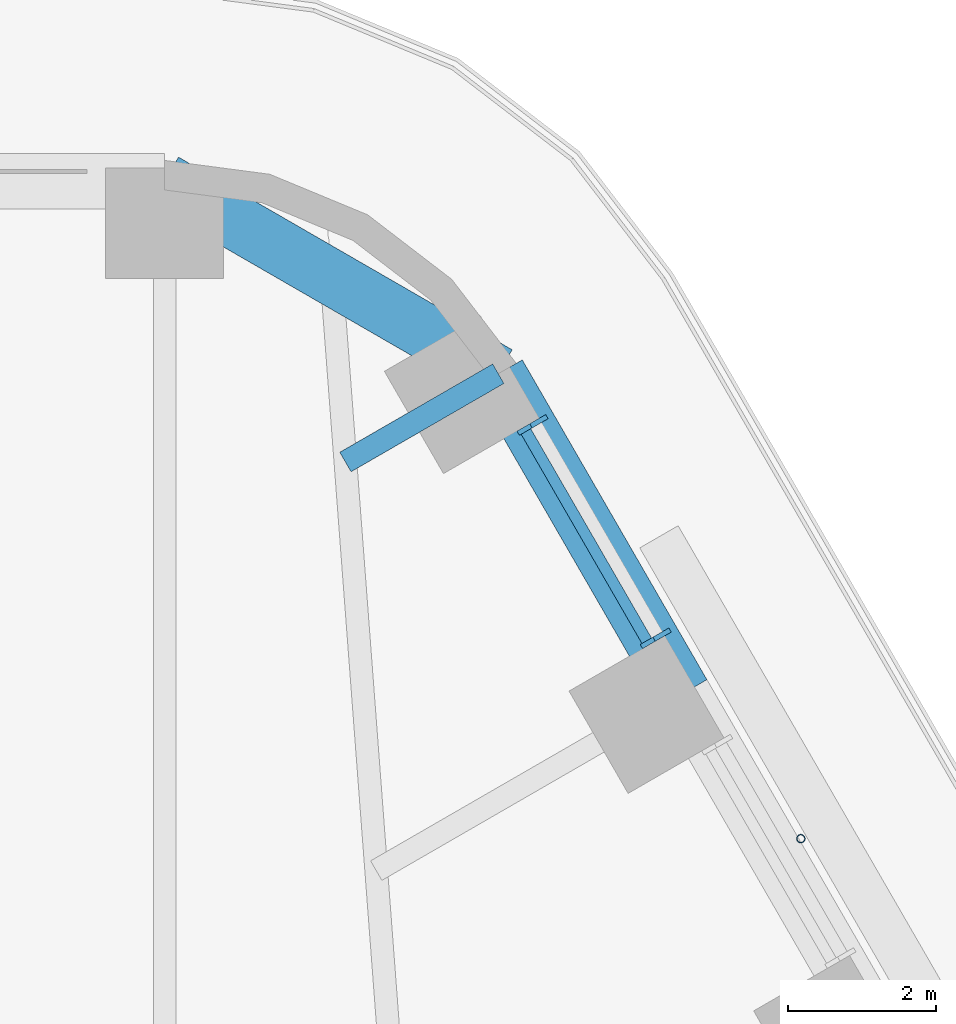
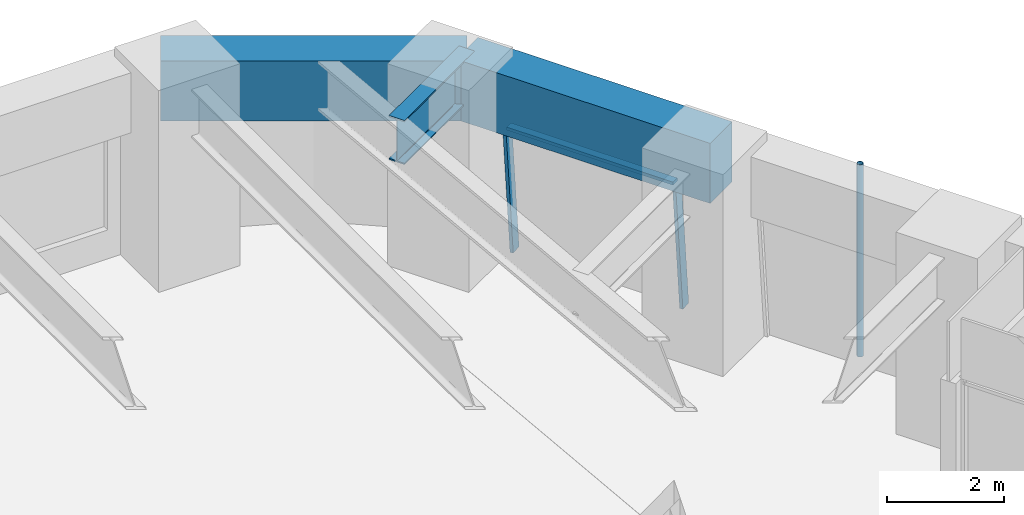
# One storey, part 13 of 24: 4 members, 3 beams, 1 element without a shape of its own.
"""IFC4 building model written with IfcOpenShell, lengths in metres."""

from ifc_helpers import new_model, si_unit, direction, frame, origin, origin_2d, place, context, subcontext, project, spatial, rectangle, hollow_circle, i_section, extrude, material, material_profile, profile_set, type_object, element, aggregate, save


model = new_model("IFC4")

# Units and contexts
model_context = context("Model", 3, precision=1e-05, world=origin(), true_north=direction((0.0, 1.0)))
body_context = subcontext(model_context, "Body", "Model", "MODEL_VIEW")
ifc_project = project(units=[si_unit("LENGTHUNIT", "METRE"), si_unit("AREAUNIT", "SQUARE_METRE"), si_unit("VOLUMEUNIT", "CUBIC_METRE"), si_unit("PLANEANGLEUNIT", "RADIAN"), si_unit("MASSUNIT", "GRAM", prefix="KILO")], contexts=[model_context])

# Site, building, storey
site_placement = place(None, origin())
site = spatial("IfcSite", under=ifc_project, at=site_placement, CompositionType="ELEMENT")
building_placement = place(site_placement, origin())
building = spatial("IfcBuilding", under=site, at=building_placement, Name="Tarfa Lantern Tower", CompositionType="ELEMENT")
storey_placement = place(building_placement, frame((0.0, 0.0, 157.300048828125)))
storey = spatial("IfcBuildingStorey", under=building, at=storey_placement, Name="L35", CompositionType="ELEMENT", Elevation=157.300048828125)

# Curtain wall, members
ifc_material_1 = material(Name="Aluminium framed curtain wall", Category="aluminium")
curtain_wall_type = type_object("IfcCurtainWallType", Name="CW2 CANTED GLAZING MID ZONE 2750", PredefinedType="USERDEFINED", material=ifc_material_1)
curtain_wall_placement = place(storey_placement, origin())
curtain_wall = element("IfcCurtainWall", 1, at=curtain_wall_placement, inside=storey, type_object=curtain_wall_type, Name="CW2 NEB L35", ObjectType="CURTAIN WALL", PredefinedType="USERDEFINED")
ifc_material_2 = material(Name="Aluminium mullion", Category="aluminium")
ifc_material_profile_1 = material_profile(ifc_material_2, rectangle(XDim=0.06494140625, YDim=0.199951171875, at=origin_2d()), Name="AL MULLION 65x200")
ifc_profile_set_1 = profile_set([ifc_material_profile_1], Name="Aluminium mullion")
member_type_1 = type_object("IfcMemberType", Name="CWM1 MULLION 65x200", PredefinedType="MULLION", material=ifc_profile_set_1)
member_1_placement = place(storey_placement, frame((21.773193359375, 25.087646484375, 0.0), z_axis=(-0.078422950161, -0.045267813396, 0.995891894715), x_axis=(0.499919672301, -0.866071776036, 0.0)))
member_1 = element("IfcMember", 2, at=member_1_placement, type_object=member_type_1, Name="CW2 mullion 1", PredefinedType="MULLION", context=body_context, shape_type="SweptSolid", body=[
    extrude(rectangle(XDim=0.06494140625, YDim=0.199951171875, at=origin_2d()), origin(), (0.0, 0.0, 1.0), 2.76123046875),
])
member_2_placement = place(storey_placement, frame((20.10400390625, 27.97900390625, 0.0), z_axis=(-0.078422950161, -0.045267813396, 0.995891894715), x_axis=(0.499919672301, -0.866071776036, 0.0)))
member_2 = element("IfcMember", 3, at=member_2_placement, type_object=member_type_1, Name="CW2 mullion 2", PredefinedType="MULLION", context=body_context, shape_type="SweptSolid", body=[
    extrude(rectangle(XDim=0.06494140625, YDim=0.199951171875, at=origin_2d()), origin(), (0.0, 0.0, 1.0), 2.76123046875),
])
ifc_material_3 = material(Name="Aluminium transom", Category="aluminium")
ifc_material_profile_2 = material_profile(ifc_material_3, rectangle(XDim=0.14990234375, YDim=0.06494140625, at=origin_2d()), Name="AL TRANSOM 150x65")
ifc_profile_set_2 = profile_set([ifc_material_profile_2], Name="Aluminium transom")
member_type_2 = type_object("IfcMemberType", Name="CWT1 TRANSOM 150x65", PredefinedType="USERDEFINED", material=ifc_profile_set_2)
member_3_placement = place(storey_placement, frame((21.54296875, 24.9921875, 2.717529296875), z_axis=(-0.499957005835, 0.866050225054, 0.0), x_axis=(-0.866050225054, -0.499957005835, 0.0)))
member_3 = element("IfcMember", 4, at=member_3_placement, type_object=member_type_2, Name="CW2 transom 1.2", ObjectType="TRANSOM", PredefinedType="USERDEFINED", context=body_context, shape_type="SweptSolid", body=[
    extrude(rectangle(XDim=0.14990234375, YDim=0.06494140625, at=origin_2d()), origin(), (0.0, 0.0, 1.0), 3.273681640625),
])
aggregate(curtain_wall, [member_1, member_2, member_3])

# Beams
ifc_material_4 = material(Name="Concrete C80/95", Category="concrete")
ifc_material_profile_3 = material_profile(ifc_material_4, rectangle(XDim=0.75, YDim=1.25, at=origin_2d()), Name="RC 750x1250")
ifc_profile_set_3 = profile_set([ifc_material_profile_3], Name="Concrete C80/95")
beam_type_1 = type_object("IfcBeamType", Name="EB2 RC 750x1250", PredefinedType="SPANDREL", material=ifc_profile_set_3)
beam_1_placement = place(storey_placement, frame((22.03369140625, 24.276611328125, 3.375), z_axis=(-0.500001197378, 0.866024712477, 0.0), x_axis=(-0.866024712477, -0.500001197378, 0.0)))
element("IfcBeam", 5, at=beam_1_placement, inside=storey, type_object=beam_type_1, Name="Edge beam NE5", PredefinedType="SPANDREL", context=body_context, shape_type="SweptSolid", body=[
    extrude(rectangle(XDim=0.75, YDim=1.25, at=origin_2d()), origin(), (0.0, 0.0, 1.0), 5.00390625),
])
beam_2_placement = place(storey_placement, frame((19.53173828125, 28.610107421875, 3.375), z_axis=(-0.86604150238, 0.499972115377, 0.0), x_axis=(-0.499972115377, -0.86604150238, 0.0)))
element("IfcBeam", 6, at=beam_2_placement, inside=storey, type_object=beam_type_1, Name="Edge beam NE6", PredefinedType="SPANDREL", context=body_context, shape_type="SweptSolid", body=[
    extrude(rectangle(XDim=0.75, YDim=1.25, at=origin_2d()), origin(), (0.0, 0.0, 1.0), 5.219970703125),
])

# Member
ifc_material_5 = material(Name="Steel S355", Category="steel")
ifc_material_profile_4 = material_profile(ifc_material_5, hollow_circle(Radius=0.05712890625, WallThickness=0.00634765625, at=origin_2d()), Name="CHS114.3x6.3")
ifc_profile_set_4 = profile_set([ifc_material_profile_4], Name="Steel S355")
member_type_3 = type_object("IfcMemberType", Name="TR1 GREEN WALL TRELLIS CHS114.3x6.3", PredefinedType="USERDEFINED", material=ifc_profile_set_4)
member_4_placement = place(storey_placement, frame((23.630859375, 22.31005859375, 0.0), z_axis=(0.0, 0.0, 1.0), x_axis=(1.0, 0.0, 0.0)))
element("IfcMember", 7, at=member_4_placement, inside=storey, type_object=member_type_3, Name="Trellis post NE 2", ObjectType="TRELLIS", PredefinedType="USERDEFINED", context=body_context, shape_type="SweptSolid", body=[
    extrude(hollow_circle(Radius=0.05712890625, WallThickness=0.00634765625, at=origin_2d()), origin(), (0.0, 0.0, 1.0), 4.0),
])

# Beam
ifc_material_6 = material(Name="Steel S460M", Category="steel")
ifc_material_profile_5 = material_profile(ifc_material_6, i_section(OverallWidth=0.305419921875, OverallDepth=0.91845703125, WebThickness=0.017333984375, FlangeThickness=0.02783203125, FilletRadius=0.01904296875, at=origin_2d()), Name="UB914x305x253")
ifc_profile_set_5 = profile_set([ifc_material_profile_5], Name="Steel S460M")
beam_type_2 = type_object("IfcBeamType", Name="UB914x305x253", PredefinedType="BEAM", material=ifc_profile_set_5)
beam_3_placement = place(storey_placement, frame((19.53173828125, 28.610107421875, 3.540771484375), z_axis=(-0.865998640954, -0.500046351717, 0.0), x_axis=(0.500046351717, -0.865998640954, 0.0)))
element("IfcBeam", 8, at=beam_3_placement, inside=storey, type_object=beam_type_2, Name="Floor beam NE6", PredefinedType="BEAM", context=body_context, shape_type="SweptSolid", body=[
    extrude(i_section(OverallWidth=0.305419921875, OverallDepth=0.91845703125, WebThickness=0.017333984375, FlangeThickness=0.02783203125, FilletRadius=0.01904296875, at=origin_2d()), origin(), (0.0, 0.0, 1.0), 2.392333984375),
])

save(model, "model.ifc")
